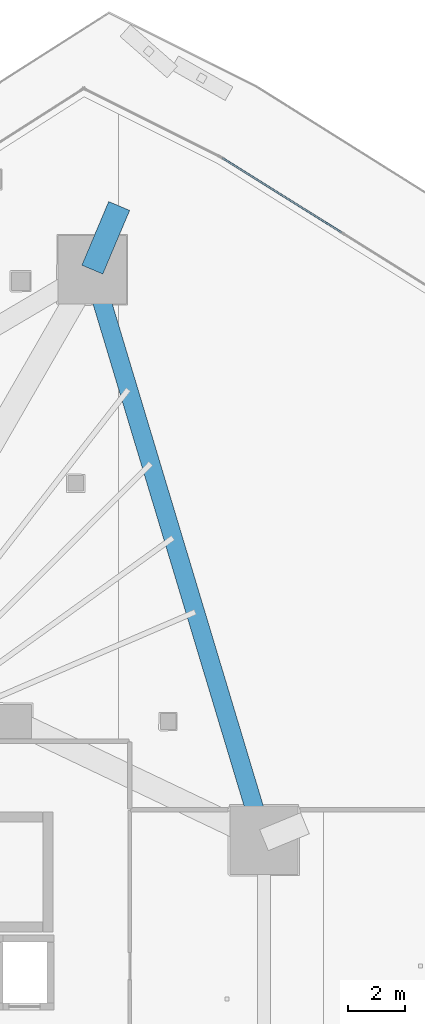
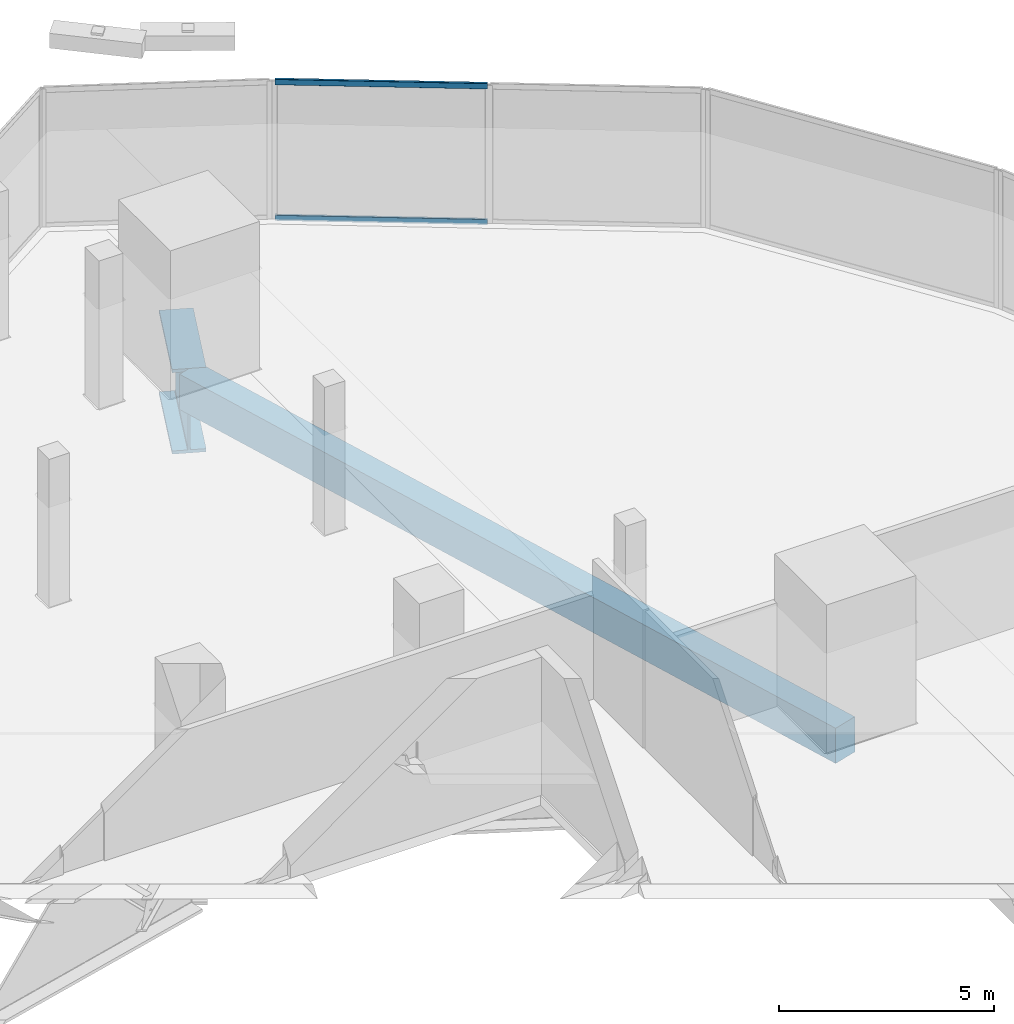
# One storey, part 21 of 42: 2 beams, 2 members, 1 element without a shape of its own.
"""IFC4 building model written with IfcOpenShell, lengths in metres."""

from ifc_helpers import new_model, si_unit, direction, frame, origin, origin_2d, place, context, subcontext, project, spatial, rectangle, hollow_rectangle, i_section, extrude, material, layer, layer_set, material_profile, profile_set, type_object, element, aggregate, save


model = new_model("IFC4")

# Units and contexts
model_context = context("Model", 3, precision=1e-05, world=origin(), true_north=direction((0.0, 1.0)))
body_context = subcontext(model_context, "Body", "Model", "MODEL_VIEW")
ifc_project = project(units=[si_unit("LENGTHUNIT", "METRE"), si_unit("AREAUNIT", "SQUARE_METRE"), si_unit("VOLUMEUNIT", "CUBIC_METRE"), si_unit("PLANEANGLEUNIT", "RADIAN"), si_unit("MASSUNIT", "GRAM", prefix="KILO")], contexts=[model_context])

# Site, building, storey
site_placement = place(None, origin())
site = spatial("IfcSite", under=ifc_project, at=site_placement, CompositionType="ELEMENT")
building_placement = place(site_placement, origin())
building = spatial("IfcBuilding", under=site, at=building_placement, Name="Qorvath Tower", CompositionType="ELEMENT")
storey_placement = place(building_placement, frame((0.0, 0.0, 32.39990234375)))
storey = spatial("IfcBuildingStorey", under=building, at=storey_placement, Name="L06", CompositionType="ELEMENT", Elevation=32.39990234375)

# Beams
ifc_material_1 = material(Name="Concrete C50/60", Category="concrete")
ifc_material_profile_1 = material_profile(ifc_material_1, rectangle(XDim=0.64990234375, YDim=1.0, at=origin_2d()), Name="RCB 1000x650")
ifc_profile_set_1 = profile_set([ifc_material_profile_1], Name="Concrete C50/60")
beam_type_1 = type_object("IfcBeamType", Name="BM-RCB1", PredefinedType="SPANDREL", material=ifc_profile_set_1)
beam_1_placement = place(storey_placement, frame((-8.430419921875, 7.2763671875, -0.77978515625), z_axis=(-0.288118908799, 0.957594639914, 0.0), x_axis=(-0.957594639914, -0.288118908799, 0.0)))
element("IfcBeam", 1, at=beam_1_placement, inside=storey, type_object=beam_type_1, Name="Perimeter Loggia Frame Beam MC5-MC6 L06", PredefinedType="SPANDREL", context=body_context, shape_type="SweptSolid", body=[
    extrude(rectangle(XDim=0.64990234375, YDim=1.0, at=origin_2d()), origin(), (0.0, 0.0, 1.0), 20.942626953125),
])
ifc_material_2 = material(Name="Steel ASTM A572 Grade 50", Category="steel")
ifc_material_profile_2 = material_profile(ifc_material_2, i_section(OverallWidth=0.800048828125, OverallDepth=2.39990234375, WebThickness=0.044921875, FlangeThickness=0.090087890625, FilletRadius=0.02490234375, at=origin_2d()), Name="WTG 2400x800")
ifc_profile_set_2 = profile_set([ifc_material_profile_2], Name="Steel ASTM A572 Grade 50")
beam_type_2 = type_object("IfcBeamType", Name="BM-TG2", PredefinedType="BEAM", material=ifc_profile_set_2)
beam_2_placement = place(storey_placement, frame((-13.52001953125, 29.568115234375, -1.479736328125), z_axis=(-0.38886585428, -0.921294386923, 0.0), x_axis=(0.921294386923, -0.38886585428, 0.0)))
element("IfcBeam", 2, at=beam_2_placement, inside=storey, type_object=beam_type_2, Name="Zone Step Transfer Tie MC6 L06", PredefinedType="BEAM", context=body_context, shape_type="SweptSolid", body=[
    extrude(i_section(OverallWidth=0.800048828125, OverallDepth=2.39990234375, WebThickness=0.044921875, FlangeThickness=0.090087890625, FilletRadius=0.02490234375, at=origin_2d()), origin(), (0.0, 0.0, 1.0), 2.428466796875),
])

# Curtain wall, members
ifc_material_3 = material(Name="Anodised aluminium and triple low-E glass", Category="aluminium")
ifc_layer = layer(ifc_material_3, 0.179931640625)
ifc_layer_set = layer_set([ifc_layer], Name="CW-SYS-2")
curtain_wall_type = type_object("IfcCurtainWallType", Name="CW-SYS-2", PredefinedType="NOTDEFINED", material=ifc_layer_set)
curtain_wall_placement = place(storey_placement, origin())
curtain_wall = element("IfcCurtainWall", 3, at=curtain_wall_placement, inside=storey, type_object=curtain_wall_type, Name="Curtain Wall CW-2 CW-T-L06-14.1", PredefinedType="NOTDEFINED")
ifc_material_4 = material(Name="Anodised aluminium 6063-T6", Category="aluminium")
ifc_material_profile_3 = material_profile(ifc_material_4, hollow_rectangle(XDim=0.06494140625, YDim=0.159912109375, WallThickness=0.00341796875, InnerFilletRadius=0.00341796875, OuterFilletRadius=0.007080078125, at=origin_2d()), Name="CWT 160x65")
ifc_profile_set_3 = profile_set([ifc_material_profile_3], Name="Anodised aluminium 6063-T6")
member_type = type_object("IfcMemberType", Name="CWT-160", PredefinedType="USERDEFINED", material=ifc_profile_set_3)
member_1_placement = place(storey_placement, frame((-5.699462890625, 28.635009765625, 0.032470703125), z_axis=(-0.848142359621, 0.529768381292, 0.0), x_axis=(-0.529768381292, -0.848142359621, 0.0)))
member_1 = element("IfcMember", 4, at=member_1_placement, type_object=member_type, Name="CW-2 transom 2.1", ObjectType="TRANSOM", PredefinedType="USERDEFINED", context=body_context, shape_type="SweptSolid", body=[
    extrude(hollow_rectangle(XDim=0.06494140625, YDim=0.159912109375, WallThickness=0.00341796875, InnerFilletRadius=0.00341796875, OuterFilletRadius=0.007080078125, at=origin_2d()), origin(), (0.0, 0.0, 1.0), 4.949951171875),
])
member_2_placement = place(storey_placement, frame((-5.699462890625, 28.635009765625, 3.8876953125), z_axis=(-0.848142359621, 0.529768381292, 0.0), x_axis=(-0.529768381292, -0.848142359621, 0.0)))
member_2 = element("IfcMember", 5, at=member_2_placement, type_object=member_type, Name="CW-2 transom 2.2", ObjectType="TRANSOM", PredefinedType="USERDEFINED", context=body_context, shape_type="SweptSolid", body=[
    extrude(hollow_rectangle(XDim=0.06494140625, YDim=0.159912109375, WallThickness=0.00341796875, InnerFilletRadius=0.00341796875, OuterFilletRadius=0.007080078125, at=origin_2d()), origin(), (0.0, 0.0, 1.0), 4.949951171875),
])
aggregate(curtain_wall, [member_1, member_2])

save(model, "model.ifc")
